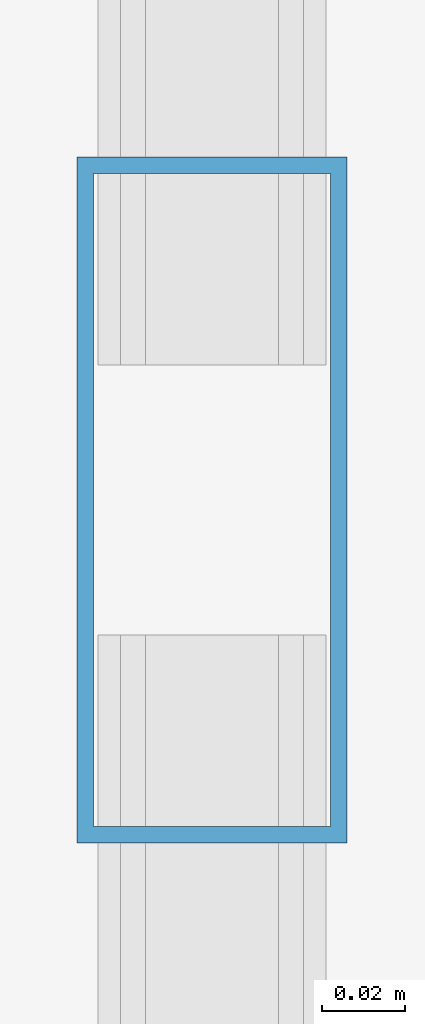
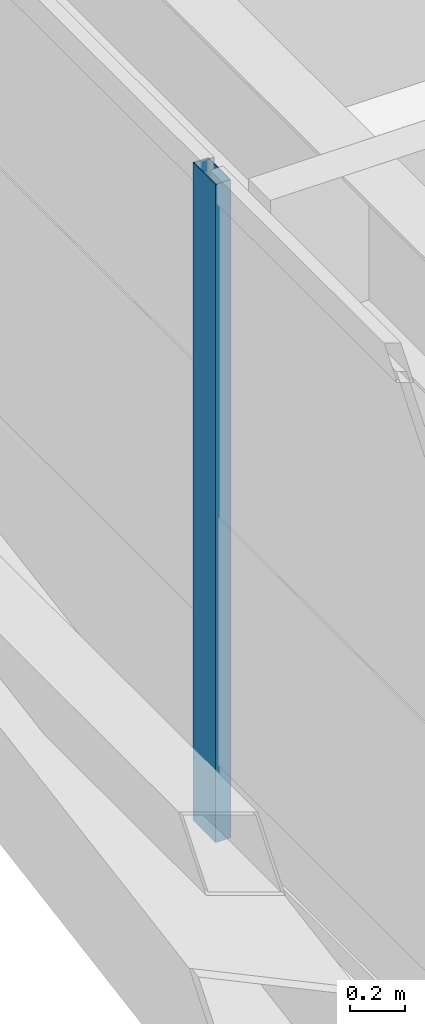
# One storey, part 8 of 59: 1 member, 1 element without a shape of its own.
"""IFC4 building model written with IfcOpenShell, lengths in metres."""

from ifc_helpers import new_model, si_unit, direction, frame, origin, origin_2d, place, context, subcontext, project, spatial, hollow_rectangle, extrude, source, transform, mapped, material, layer, layer_set, material_profile, profile_set, type_object, element, aggregate, save


model = new_model("IFC4")

# Units and contexts
model_context = context("Model", 3, precision=1e-05, world=origin(), true_north=direction((0.0, 1.0)))
body_context = subcontext(model_context, "Body", "Model", "MODEL_VIEW")
ifc_project = project(units=[si_unit("LENGTHUNIT", "METRE"), si_unit("AREAUNIT", "SQUARE_METRE"), si_unit("VOLUMEUNIT", "CUBIC_METRE"), si_unit("PLANEANGLEUNIT", "RADIAN"), si_unit("MASSUNIT", "GRAM", prefix="KILO")], contexts=[model_context])

# Site, building, storey
site_placement = place(None, origin())
site = spatial("IfcSite", under=ifc_project, at=site_placement, CompositionType="ELEMENT")
building_placement = place(site_placement, origin())
building = spatial("IfcBuilding", under=site, at=building_placement, Name="Taldren Reach Tower", CompositionType="ELEMENT")
storey_placement = place(building_placement, frame((0.0, 0.0, 23.10009765625)))
storey = spatial("IfcBuildingStorey", under=building, at=storey_placement, Name="L06", CompositionType="ELEMENT", Elevation=23.10009765625)

# Curtain wall, member
ifc_material_1 = material(Name="Aluminium and Low-E Glass Unitised System", Category="aluminium")
ifc_layer = layer(ifc_material_1, 0.159912109375)
ifc_layer_set = layer_set([ifc_layer], Name="Aluminium and Low-E Glass Unitised System")
curtain_wall_type = type_object("IfcCurtainWallType", Name="CW-SYS-2", PredefinedType="NOTDEFINED", material=ifc_layer_set)
curtain_wall_placement = place(storey_placement, origin())
curtain_wall = element("IfcCurtainWall", 1, at=curtain_wall_placement, inside=storey, type_object=curtain_wall_type, Name="Unitised curtain wall CW-L06-W", PredefinedType="NOTDEFINED")
ifc_material_2 = material(Name="Anodised Aluminium 6063-T6", Category="aluminium")
ifc_material_profile = material_profile(ifc_material_2, hollow_rectangle(XDim=0.06494140625, YDim=0.1650390625, WallThickness=0.00390625, at=origin_2d()), Name="ALU-165x65x4RHS")
ifc_profile_set = profile_set([ifc_material_profile], Name="Anodised Aluminium 6063-T6")
member_type = type_object("IfcMemberType", Name="CW-MUL-165", PredefinedType="MULLION", material=ifc_profile_set)
shared_shape = source(origin(), body_context, "Body", "SweptSolid", [
    extrude(hollow_rectangle(XDim=0.06494140625, YDim=0.1650390625, WallThickness=0.00390625, at=origin_2d()), origin(), (0.0, 0.0, 1.0), 2.929931640625),
])
member_placement = place(storey_placement, frame((5.139892578125, 11.388916015625, 0.0), z_axis=(0.0, 0.0, 1.0), x_axis=(1.0, 0.0, 0.0)))
member = element("IfcMember", 2, at=member_placement, type_object=member_type, Name="CW-2 mullion 8", PredefinedType="MULLION", context=body_context, shape_type="MappedRepresentation", body=[
    mapped(shared_shape, transform((0.0, 0.0, 0.0), scale=1.0)),
])
aggregate(curtain_wall, [member])

save(model, "model.ifc")
